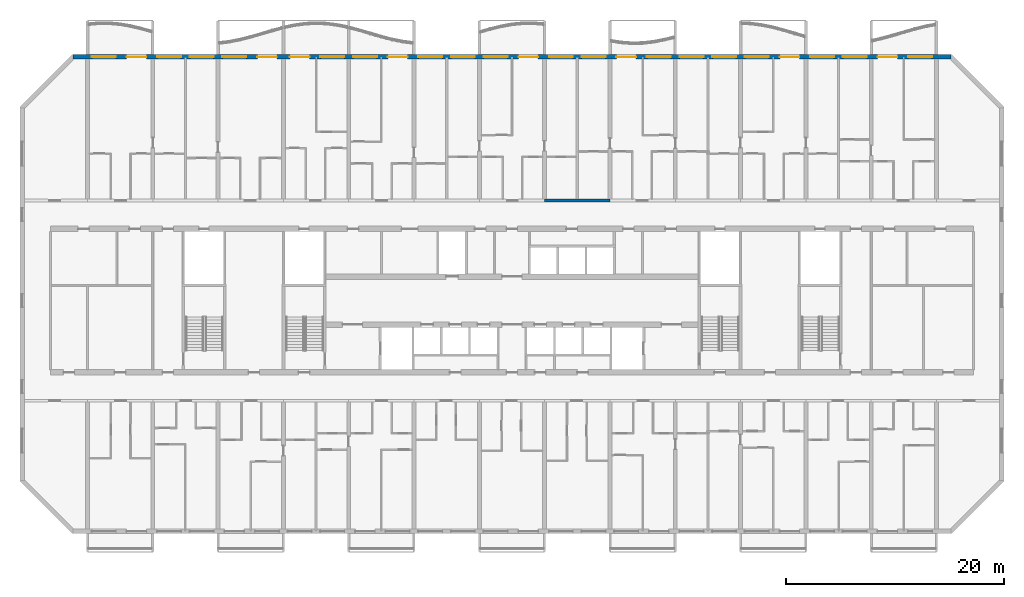
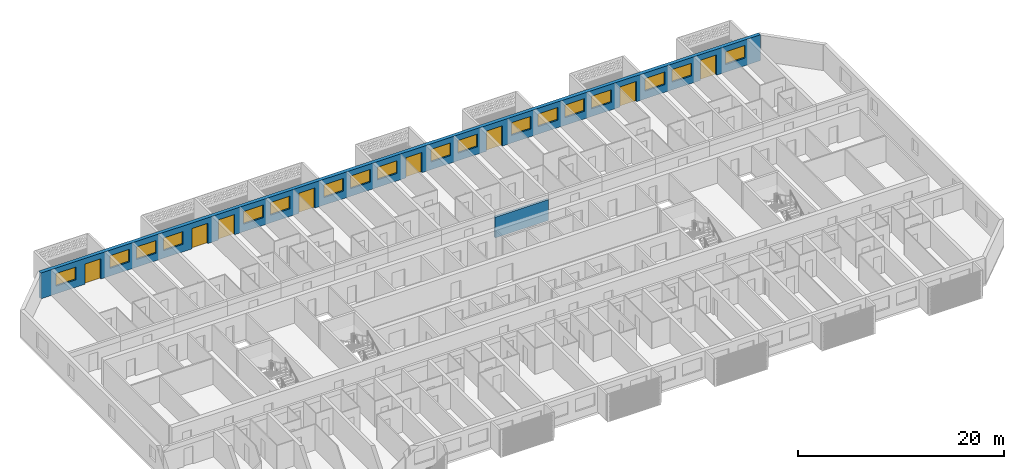
# One storey, part 12 of 29: 18 windows, 8 doors, 2 walls, 26 openings.
"""IFC4 building model written with IfcOpenShell, lengths in metres."""

from ifc_helpers import new_model, si_unit, direction, frame, frame_2d, origin, place, context, subcontext, project, spatial, rectangle, extrude, material, layer, layer_set, type_object, element, fill, save


model = new_model("IFC4")

# Units and contexts
model_context = context("Model", 3, precision=1e-05, world=origin(), true_north=direction((0.0, 1.0)))
body_context = subcontext(model_context, "Body", "Model", "MODEL_VIEW")
ifc_project = project(units=[si_unit("LENGTHUNIT", "METRE"), si_unit("AREAUNIT", "SQUARE_METRE"), si_unit("VOLUMEUNIT", "CUBIC_METRE"), si_unit("PLANEANGLEUNIT", "RADIAN"), si_unit("MASSUNIT", "GRAM", prefix="KILO")], contexts=[model_context])

# Site, building, storey
site_placement = place(None, origin())
site = spatial("IfcSite", under=ifc_project, at=site_placement, CompositionType="ELEMENT")
building_placement = place(site_placement, origin())
building = spatial("IfcBuilding", under=site, at=building_placement, Name="Poui Terraces", CompositionType="ELEMENT")
storey_placement = place(building_placement, frame((0.0, 0.0, 86.10009765625)))
storey = spatial("IfcBuildingStorey", under=building, at=storey_placement, Name="L23", CompositionType="ELEMENT", Elevation=86.10009765625)

# Wall
ifc_material_1 = material(Name="Concrete 65 MPa", Category="concrete")
ifc_layer_1 = layer(ifc_material_1, 0.25)
ifc_layer_set_1 = layer_set([ifc_layer_1], Name="Concrete 65 MPa")
wall_type_1 = type_object("IfcWallType", Name="CORRIDOR WALL 250 65MPa", PredefinedType="SHEAR", material=ifc_layer_set_1)
wall_1_placement = place(storey_placement, frame((54.0, 30.39990234375, 0.0), z_axis=(0.0, 0.0, 1.0), x_axis=(1.0, 0.0, 0.0)))
element("IfcWall", 1, at=wall_1_placement, inside=storey, type_object=wall_type_1, Name="CORRIDOR WALL LINE E BAY 9", PredefinedType="SHEAR", context=body_context, shape_type="SweptSolid", body=[
    extrude(rectangle(XDim=6.0, YDim=0.25, at=frame_2d((3.0, 0.0))), origin(), (0.0, 0.0, 1.0), 2.4599609375),
])

# Wall, openings, doors, windows
ifc_material_2 = material(Name="Precast concrete 40 MPa", Category="concrete")
ifc_layer_2 = layer(ifc_material_2, 0.39990234375)
ifc_layer_set_2 = layer_set([ifc_layer_2], Name="Precast concrete 40 MPa")
wall_type_2 = type_object("IfcWallType", Name="EXTERNAL WALL 400", PredefinedType="STANDARD", material=ifc_layer_set_2)
wall_2_placement = place(storey_placement, frame((91.317138671875, 43.60009765625, 0.0), z_axis=(0.0, 0.0, 1.0), x_axis=(-1.0, 0.0, 0.0)))
wall_2 = element("IfcWall", 2, at=wall_2_placement, inside=storey, type_object=wall_type_2, Name="EXTERNAL WALL N", PredefinedType="STANDARD", context=body_context, shape_type="SweptSolid", body=[
    extrude(rectangle(XDim=80.63427734375, YDim=0.39990234375, at=frame_2d((40.317138671875, 0.0))), origin(), (0.0, 0.0, 1.0), 3.059814453125),
])
opening_1_placement = place(wall_2_placement, frame((76.71728515625, 0.0, 0.89990234375)))
opening_1 = element("IfcOpeningElement", 3, at=opening_1_placement, cuts=wall_2, Name="Opening W1", PredefinedType="OPENING", context=body_context, shape_type="SweptSolid", body=[
    extrude(rectangle(XDim=2.199951171875, YDim=1.5, at=frame_2d((1.10009765625, 0.75))), frame((0.0, 0.2099609375, 0.0), z_axis=(0.0, -1.0, 0.0), x_axis=(1.0, 0.0, 0.0)), (0.0, 0.0, 1.0), 0.419921875),
])
opening_2_placement = place(wall_2_placement, frame((73.917236328125, 0.0, 0.0)))
opening_2 = element("IfcOpeningElement", 4, at=opening_2_placement, cuts=wall_2, Name="Opening BD1", PredefinedType="OPENING", context=body_context, shape_type="SweptSolid", body=[
    extrude(rectangle(XDim=1.800048828125, YDim=2.39990234375, at=frame_2d((0.89990234375, 1.199951171875))), frame((0.0, 0.2099609375, 0.0), z_axis=(0.0, -1.0, 0.0), x_axis=(1.0, 0.0, 0.0)), (0.0, 0.0, 1.0), 0.419921875),
])
opening_3_placement = place(wall_2_placement, frame((70.71728515625, 0.0, 0.89990234375)))
opening_3 = element("IfcOpeningElement", 5, at=opening_3_placement, cuts=wall_2, Name="Opening W1", PredefinedType="OPENING", context=body_context, shape_type="SweptSolid", body=[
    extrude(rectangle(XDim=2.199951171875, YDim=1.5, at=frame_2d((1.10009765625, 0.75))), frame((0.0, 0.2099609375, 0.0), z_axis=(0.0, -1.0, 0.0), x_axis=(1.0, 0.0, 0.0)), (0.0, 0.0, 1.0), 0.419921875),
])
opening_4_placement = place(wall_2_placement, frame((67.71728515625, 0.0, 0.89990234375)))
opening_4 = element("IfcOpeningElement", 6, at=opening_4_placement, cuts=wall_2, Name="Opening W1", PredefinedType="OPENING", context=body_context, shape_type="SweptSolid", body=[
    extrude(rectangle(XDim=2.199951171875, YDim=1.5, at=frame_2d((1.10009765625, 0.75))), frame((0.0, 0.2099609375, 0.0), z_axis=(0.0, -1.0, 0.0), x_axis=(1.0, 0.0, 0.0)), (0.0, 0.0, 1.0), 0.419921875),
])
opening_5_placement = place(wall_2_placement, frame((64.71728515625, 0.0, 0.89990234375)))
opening_5 = element("IfcOpeningElement", 7, at=opening_5_placement, cuts=wall_2, Name="Opening W1", PredefinedType="OPENING", context=body_context, shape_type="SweptSolid", body=[
    extrude(rectangle(XDim=2.199951171875, YDim=1.5, at=frame_2d((1.10009765625, 0.75))), frame((0.0, 0.2099609375, 0.0), z_axis=(0.0, -1.0, 0.0), x_axis=(1.0, 0.0, 0.0)), (0.0, 0.0, 1.0), 0.419921875),
])
opening_6_placement = place(wall_2_placement, frame((61.917236328125, 0.0, 0.0)))
opening_6 = element("IfcOpeningElement", 8, at=opening_6_placement, cuts=wall_2, Name="Opening BD1", PredefinedType="OPENING", context=body_context, shape_type="SweptSolid", body=[
    extrude(rectangle(XDim=1.800048828125, YDim=2.39990234375, at=frame_2d((0.89990234375, 1.199951171875))), frame((0.0, 0.2099609375, 0.0), z_axis=(0.0, -1.0, 0.0), x_axis=(1.0, 0.0, 0.0)), (0.0, 0.0, 1.0), 0.419921875),
])
opening_7_placement = place(wall_2_placement, frame((58.917236328125, 0.0, 0.0)))
opening_7 = element("IfcOpeningElement", 9, at=opening_7_placement, cuts=wall_2, Name="Opening BD1", PredefinedType="OPENING", context=body_context, shape_type="SweptSolid", body=[
    extrude(rectangle(XDim=1.800048828125, YDim=2.39990234375, at=frame_2d((0.89990234375, 1.199951171875))), frame((0.0, 0.2099609375, 0.0), z_axis=(0.0, -1.0, 0.0), x_axis=(1.0, 0.0, 0.0)), (0.0, 0.0, 1.0), 0.419921875),
])
opening_8_placement = place(wall_2_placement, frame((55.71728515625, 0.0, 0.89990234375)))
opening_8 = element("IfcOpeningElement", 10, at=opening_8_placement, cuts=wall_2, Name="Opening W1", PredefinedType="OPENING", context=body_context, shape_type="SweptSolid", body=[
    extrude(rectangle(XDim=2.199951171875, YDim=1.5, at=frame_2d((1.10009765625, 0.75))), frame((0.0, 0.2099609375, 0.0), z_axis=(0.0, -1.0, 0.0), x_axis=(1.0, 0.0, 0.0)), (0.0, 0.0, 1.0), 0.419921875),
])
opening_9_placement = place(wall_2_placement, frame((52.71728515625, 0.0, 0.89990234375)))
opening_9 = element("IfcOpeningElement", 11, at=opening_9_placement, cuts=wall_2, Name="Opening W1", PredefinedType="OPENING", context=body_context, shape_type="SweptSolid", body=[
    extrude(rectangle(XDim=2.199951171875, YDim=1.5, at=frame_2d((1.10009765625, 0.75))), frame((0.0, 0.2099609375, 0.0), z_axis=(0.0, -1.0, 0.0), x_axis=(1.0, 0.0, 0.0)), (0.0, 0.0, 1.0), 0.419921875),
])
opening_10_placement = place(wall_2_placement, frame((49.917236328125, 0.0, 0.0)))
opening_10 = element("IfcOpeningElement", 12, at=opening_10_placement, cuts=wall_2, Name="Opening BD1", PredefinedType="OPENING", context=body_context, shape_type="SweptSolid", body=[
    extrude(rectangle(XDim=1.800048828125, YDim=2.39990234375, at=frame_2d((0.89990234375, 1.199951171875))), frame((0.0, 0.2099609375, 0.0), z_axis=(0.0, -1.0, 0.0), x_axis=(1.0, 0.0, 0.0)), (0.0, 0.0, 1.0), 0.419921875),
])
opening_11_placement = place(wall_2_placement, frame((46.71728515625, 0.0, 0.89990234375)))
opening_11 = element("IfcOpeningElement", 13, at=opening_11_placement, cuts=wall_2, Name="Opening W1", PredefinedType="OPENING", context=body_context, shape_type="SweptSolid", body=[
    extrude(rectangle(XDim=2.199951171875, YDim=1.5, at=frame_2d((1.10009765625, 0.75))), frame((0.0, 0.2099609375, 0.0), z_axis=(0.0, -1.0, 0.0), x_axis=(1.0, 0.0, 0.0)), (0.0, 0.0, 1.0), 0.419921875),
])
opening_12_placement = place(wall_2_placement, frame((43.71728515625, 0.0, 0.89990234375)))
opening_12 = element("IfcOpeningElement", 14, at=opening_12_placement, cuts=wall_2, Name="Opening W1", PredefinedType="OPENING", context=body_context, shape_type="SweptSolid", body=[
    extrude(rectangle(XDim=2.199951171875, YDim=1.5, at=frame_2d((1.10009765625, 0.75))), frame((0.0, 0.2099609375, 0.0), z_axis=(0.0, -1.0, 0.0), x_axis=(1.0, 0.0, 0.0)), (0.0, 0.0, 1.0), 0.419921875),
])
opening_13_placement = place(wall_2_placement, frame((40.71728515625, 0.0, 0.89990234375)))
opening_13 = element("IfcOpeningElement", 15, at=opening_13_placement, cuts=wall_2, Name="Opening W1", PredefinedType="OPENING", context=body_context, shape_type="SweptSolid", body=[
    extrude(rectangle(XDim=2.199951171875, YDim=1.5, at=frame_2d((1.10009765625, 0.75))), frame((0.0, 0.2099609375, 0.0), z_axis=(0.0, -1.0, 0.0), x_axis=(1.0, 0.0, 0.0)), (0.0, 0.0, 1.0), 0.419921875),
])
opening_14_placement = place(wall_2_placement, frame((37.917236328125, 0.0, 0.0)))
opening_14 = element("IfcOpeningElement", 16, at=opening_14_placement, cuts=wall_2, Name="Opening BD1", PredefinedType="OPENING", context=body_context, shape_type="SweptSolid", body=[
    extrude(rectangle(XDim=1.800048828125, YDim=2.39990234375, at=frame_2d((0.89990234375, 1.199951171875))), frame((0.0, 0.2099609375, 0.0), z_axis=(0.0, -1.0, 0.0), x_axis=(1.0, 0.0, 0.0)), (0.0, 0.0, 1.0), 0.419921875),
])
opening_15_placement = place(wall_2_placement, frame((34.71728515625, 0.0, 0.89990234375)))
opening_15 = element("IfcOpeningElement", 17, at=opening_15_placement, cuts=wall_2, Name="Opening W1", PredefinedType="OPENING", context=body_context, shape_type="SweptSolid", body=[
    extrude(rectangle(XDim=2.199951171875, YDim=1.5, at=frame_2d((1.10009765625, 0.75))), frame((0.0, 0.2099609375, 0.0), z_axis=(0.0, -1.0, 0.0), x_axis=(1.0, 0.0, 0.0)), (0.0, 0.0, 1.0), 0.419921875),
])
opening_16_placement = place(wall_2_placement, frame((31.71728515625, 0.0, 0.89990234375)))
opening_16 = element("IfcOpeningElement", 18, at=opening_16_placement, cuts=wall_2, Name="Opening W1", PredefinedType="OPENING", context=body_context, shape_type="SweptSolid", body=[
    extrude(rectangle(XDim=2.199951171875, YDim=1.5, at=frame_2d((1.10009765625, 0.75))), frame((0.0, 0.2099609375, 0.0), z_axis=(0.0, -1.0, 0.0), x_axis=(1.0, 0.0, 0.0)), (0.0, 0.0, 1.0), 0.419921875),
])
opening_17_placement = place(wall_2_placement, frame((28.917236328125, 0.0, 0.0)))
opening_17 = element("IfcOpeningElement", 19, at=opening_17_placement, cuts=wall_2, Name="Opening BD1", PredefinedType="OPENING", context=body_context, shape_type="SweptSolid", body=[
    extrude(rectangle(XDim=1.800048828125, YDim=2.39990234375, at=frame_2d((0.89990234375, 1.199951171875))), frame((0.0, 0.2099609375, 0.0), z_axis=(0.0, -1.0, 0.0), x_axis=(1.0, 0.0, 0.0)), (0.0, 0.0, 1.0), 0.419921875),
])
opening_18_placement = place(wall_2_placement, frame((25.71728515625, 0.0, 0.89990234375)))
opening_18 = element("IfcOpeningElement", 20, at=opening_18_placement, cuts=wall_2, Name="Opening W1", PredefinedType="OPENING", context=body_context, shape_type="SweptSolid", body=[
    extrude(rectangle(XDim=2.199951171875, YDim=1.5, at=frame_2d((1.10009765625, 0.75))), frame((0.0, 0.2099609375, 0.0), z_axis=(0.0, -1.0, 0.0), x_axis=(1.0, 0.0, 0.0)), (0.0, 0.0, 1.0), 0.419921875),
])
opening_19_placement = place(wall_2_placement, frame((22.71728515625, 0.0, 0.89990234375)))
opening_19 = element("IfcOpeningElement", 21, at=opening_19_placement, cuts=wall_2, Name="Opening W1", PredefinedType="OPENING", context=body_context, shape_type="SweptSolid", body=[
    extrude(rectangle(XDim=2.199951171875, YDim=1.5, at=frame_2d((1.10009765625, 0.75))), frame((0.0, 0.2099609375, 0.0), z_axis=(0.0, -1.0, 0.0), x_axis=(1.0, 0.0, 0.0)), (0.0, 0.0, 1.0), 0.419921875),
])
opening_20_placement = place(wall_2_placement, frame((19.71728515625, 0.0, 0.89990234375)))
opening_20 = element("IfcOpeningElement", 22, at=opening_20_placement, cuts=wall_2, Name="Opening W1", PredefinedType="OPENING", context=body_context, shape_type="SweptSolid", body=[
    extrude(rectangle(XDim=2.199951171875, YDim=1.5, at=frame_2d((1.10009765625, 0.75))), frame((0.0, 0.2099609375, 0.0), z_axis=(0.0, -1.0, 0.0), x_axis=(1.0, 0.0, 0.0)), (0.0, 0.0, 1.0), 0.419921875),
])
opening_21_placement = place(wall_2_placement, frame((16.71728515625, 0.0, 0.89990234375)))
opening_21 = element("IfcOpeningElement", 23, at=opening_21_placement, cuts=wall_2, Name="Opening W1", PredefinedType="OPENING", context=body_context, shape_type="SweptSolid", body=[
    extrude(rectangle(XDim=2.199951171875, YDim=1.5, at=frame_2d((1.10009765625, 0.75))), frame((0.0, 0.2099609375, 0.0), z_axis=(0.0, -1.0, 0.0), x_axis=(1.0, 0.0, 0.0)), (0.0, 0.0, 1.0), 0.419921875),
])
opening_22_placement = place(wall_2_placement, frame((13.917236328125, 0.0, 0.0)))
opening_22 = element("IfcOpeningElement", 24, at=opening_22_placement, cuts=wall_2, Name="Opening BD1", PredefinedType="OPENING", context=body_context, shape_type="SweptSolid", body=[
    extrude(rectangle(XDim=1.800048828125, YDim=2.39990234375, at=frame_2d((0.89990234375, 1.199951171875))), frame((0.0, 0.2099609375, 0.0), z_axis=(0.0, -1.0, 0.0), x_axis=(1.0, 0.0, 0.0)), (0.0, 0.0, 1.0), 0.419921875),
])
opening_23_placement = place(wall_2_placement, frame((10.71728515625, 0.0, 0.89990234375)))
opening_23 = element("IfcOpeningElement", 25, at=opening_23_placement, cuts=wall_2, Name="Opening W1", PredefinedType="OPENING", context=body_context, shape_type="SweptSolid", body=[
    extrude(rectangle(XDim=2.199951171875, YDim=1.5, at=frame_2d((1.10009765625, 0.75))), frame((0.0, 0.2099609375, 0.0), z_axis=(0.0, -1.0, 0.0), x_axis=(1.0, 0.0, 0.0)), (0.0, 0.0, 1.0), 0.419921875),
])
opening_24_placement = place(wall_2_placement, frame((7.71728515625, 0.0, 0.89990234375)))
opening_24 = element("IfcOpeningElement", 26, at=opening_24_placement, cuts=wall_2, Name="Opening W1", PredefinedType="OPENING", context=body_context, shape_type="SweptSolid", body=[
    extrude(rectangle(XDim=2.199951171875, YDim=1.5, at=frame_2d((1.10009765625, 0.75))), frame((0.0, 0.2099609375, 0.0), z_axis=(0.0, -1.0, 0.0), x_axis=(1.0, 0.0, 0.0)), (0.0, 0.0, 1.0), 0.419921875),
])
opening_25_placement = place(wall_2_placement, frame((4.917236328125, 0.0, 0.0)))
opening_25 = element("IfcOpeningElement", 27, at=opening_25_placement, cuts=wall_2, Name="Opening BD1", PredefinedType="OPENING", context=body_context, shape_type="SweptSolid", body=[
    extrude(rectangle(XDim=1.800048828125, YDim=2.39990234375, at=frame_2d((0.89990234375, 1.199951171875))), frame((0.0, 0.2099609375, 0.0), z_axis=(0.0, -1.0, 0.0), x_axis=(1.0, 0.0, 0.0)), (0.0, 0.0, 1.0), 0.419921875),
])
opening_26_placement = place(wall_2_placement, frame((1.71728515625, 0.0, 0.89990234375)))
opening_26 = element("IfcOpeningElement", 28, at=opening_26_placement, cuts=wall_2, Name="Opening W1", PredefinedType="OPENING", context=body_context, shape_type="SweptSolid", body=[
    extrude(rectangle(XDim=2.199951171875, YDim=1.5, at=frame_2d((1.10009765625, 0.75))), frame((0.0, 0.2099609375, 0.0), z_axis=(0.0, -1.0, 0.0), x_axis=(1.0, 0.0, 0.0)), (0.0, 0.0, 1.0), 0.419921875),
])
ifc_material_3 = material(Name="Clear glass in aluminium frame", Category="aluminium")
door_type = type_object("IfcDoorType", Name="BALCONY DOOR 1800X2400", OperationType="DOUBLE_DOOR_SLIDING", PredefinedType="DOOR", material=ifc_material_3)
door_1_placement = place(opening_2_placement, origin())
door_1 = element("IfcDoor", 29, at=door_1_placement, inside=storey, type_object=door_type, Name="BD1 BALCONY DOOR", OperationType="DOUBLE_DOOR_SLIDING", OverallHeight=2.39990234375, OverallWidth=1.800048828125, PredefinedType="DOOR", context=body_context, shape_type="SweptSolid", body=[
    extrude(rectangle(XDim=1.800048828125, YDim=2.39990234375, at=frame_2d((0.89990234375, 1.199951171875))), frame((0.0, 0.02490234375, 0.0), z_axis=(0.0, -1.0, 0.0), x_axis=(1.0, 0.0, 0.0)), (0.0, 0.0, 1.0), 0.050048828125),
])
fill(opening_2, door_1)
door_2_placement = place(opening_6_placement, origin())
door_2 = element("IfcDoor", 30, at=door_2_placement, inside=storey, type_object=door_type, Name="BD1 BALCONY DOOR", OperationType="DOUBLE_DOOR_SLIDING", OverallHeight=2.39990234375, OverallWidth=1.800048828125, PredefinedType="DOOR", context=body_context, shape_type="SweptSolid", body=[
    extrude(rectangle(XDim=1.800048828125, YDim=2.39990234375, at=frame_2d((0.89990234375, 1.199951171875))), frame((0.0, 0.02490234375, 0.0), z_axis=(0.0, -1.0, 0.0), x_axis=(1.0, 0.0, 0.0)), (0.0, 0.0, 1.0), 0.050048828125),
])
fill(opening_6, door_2)
door_3_placement = place(opening_7_placement, origin())
door_3 = element("IfcDoor", 31, at=door_3_placement, inside=storey, type_object=door_type, Name="BD1 BALCONY DOOR", OperationType="DOUBLE_DOOR_SLIDING", OverallHeight=2.39990234375, OverallWidth=1.800048828125, PredefinedType="DOOR", context=body_context, shape_type="SweptSolid", body=[
    extrude(rectangle(XDim=1.800048828125, YDim=2.39990234375, at=frame_2d((0.89990234375, 1.199951171875))), frame((0.0, 0.02490234375, 0.0), z_axis=(0.0, -1.0, 0.0), x_axis=(1.0, 0.0, 0.0)), (0.0, 0.0, 1.0), 0.050048828125),
])
fill(opening_7, door_3)
door_4_placement = place(opening_10_placement, origin())
door_4 = element("IfcDoor", 32, at=door_4_placement, inside=storey, type_object=door_type, Name="BD1 BALCONY DOOR", OperationType="DOUBLE_DOOR_SLIDING", OverallHeight=2.39990234375, OverallWidth=1.800048828125, PredefinedType="DOOR", context=body_context, shape_type="SweptSolid", body=[
    extrude(rectangle(XDim=1.800048828125, YDim=2.39990234375, at=frame_2d((0.89990234375, 1.199951171875))), frame((0.0, 0.02490234375, 0.0), z_axis=(0.0, -1.0, 0.0), x_axis=(1.0, 0.0, 0.0)), (0.0, 0.0, 1.0), 0.050048828125),
])
fill(opening_10, door_4)
door_5_placement = place(opening_14_placement, origin())
door_5 = element("IfcDoor", 33, at=door_5_placement, inside=storey, type_object=door_type, Name="BD1 BALCONY DOOR", OperationType="DOUBLE_DOOR_SLIDING", OverallHeight=2.39990234375, OverallWidth=1.800048828125, PredefinedType="DOOR", context=body_context, shape_type="SweptSolid", body=[
    extrude(rectangle(XDim=1.800048828125, YDim=2.39990234375, at=frame_2d((0.89990234375, 1.199951171875))), frame((0.0, 0.02490234375, 0.0), z_axis=(0.0, -1.0, 0.0), x_axis=(1.0, 0.0, 0.0)), (0.0, 0.0, 1.0), 0.050048828125),
])
fill(opening_14, door_5)
door_6_placement = place(opening_17_placement, origin())
door_6 = element("IfcDoor", 34, at=door_6_placement, inside=storey, type_object=door_type, Name="BD1 BALCONY DOOR", OperationType="DOUBLE_DOOR_SLIDING", OverallHeight=2.39990234375, OverallWidth=1.800048828125, PredefinedType="DOOR", context=body_context, shape_type="SweptSolid", body=[
    extrude(rectangle(XDim=1.800048828125, YDim=2.39990234375, at=frame_2d((0.89990234375, 1.199951171875))), frame((0.0, 0.02490234375, 0.0), z_axis=(0.0, -1.0, 0.0), x_axis=(1.0, 0.0, 0.0)), (0.0, 0.0, 1.0), 0.050048828125),
])
fill(opening_17, door_6)
door_7_placement = place(opening_22_placement, origin())
door_7 = element("IfcDoor", 35, at=door_7_placement, inside=storey, type_object=door_type, Name="BD1 BALCONY DOOR", OperationType="DOUBLE_DOOR_SLIDING", OverallHeight=2.39990234375, OverallWidth=1.800048828125, PredefinedType="DOOR", context=body_context, shape_type="SweptSolid", body=[
    extrude(rectangle(XDim=1.800048828125, YDim=2.39990234375, at=frame_2d((0.89990234375, 1.199951171875))), frame((0.0, 0.02490234375, 0.0), z_axis=(0.0, -1.0, 0.0), x_axis=(1.0, 0.0, 0.0)), (0.0, 0.0, 1.0), 0.050048828125),
])
fill(opening_22, door_7)
door_8_placement = place(opening_25_placement, origin())
door_8 = element("IfcDoor", 36, at=door_8_placement, inside=storey, type_object=door_type, Name="BD1 BALCONY DOOR", OperationType="DOUBLE_DOOR_SLIDING", OverallHeight=2.39990234375, OverallWidth=1.800048828125, PredefinedType="DOOR", context=body_context, shape_type="SweptSolid", body=[
    extrude(rectangle(XDim=1.800048828125, YDim=2.39990234375, at=frame_2d((0.89990234375, 1.199951171875))), frame((0.0, 0.02490234375, 0.0), z_axis=(0.0, -1.0, 0.0), x_axis=(1.0, 0.0, 0.0)), (0.0, 0.0, 1.0), 0.050048828125),
])
fill(opening_25, door_8)
window_type = type_object("IfcWindowType", Name="WINDOW 2200X1500", PartitioningType="DOUBLE_PANEL_HORIZONTAL", PredefinedType="WINDOW", material=ifc_material_3)
window_1_placement = place(opening_1_placement, origin())
window_1 = element("IfcWindow", 37, at=window_1_placement, inside=storey, type_object=window_type, Name="W1 WINDOW", OverallHeight=1.5, OverallWidth=2.199951171875, PartitioningType="DOUBLE_PANEL_HORIZONTAL", PredefinedType="WINDOW", context=body_context, shape_type="SweptSolid", body=[
    extrude(rectangle(XDim=2.199951171875, YDim=1.5, at=frame_2d((1.10009765625, 0.75))), frame((0.0, 0.030029296875, 0.0), z_axis=(0.0, -1.0, 0.0), x_axis=(1.0, 0.0, 0.0)), (0.0, 0.0, 1.0), 0.06005859375),
])
fill(opening_1, window_1)
window_2_placement = place(opening_3_placement, origin())
window_2 = element("IfcWindow", 38, at=window_2_placement, inside=storey, type_object=window_type, Name="W1 WINDOW", OverallHeight=1.5, OverallWidth=2.199951171875, PartitioningType="DOUBLE_PANEL_HORIZONTAL", PredefinedType="WINDOW", context=body_context, shape_type="SweptSolid", body=[
    extrude(rectangle(XDim=2.199951171875, YDim=1.5, at=frame_2d((1.10009765625, 0.75))), frame((0.0, 0.030029296875, 0.0), z_axis=(0.0, -1.0, 0.0), x_axis=(1.0, 0.0, 0.0)), (0.0, 0.0, 1.0), 0.06005859375),
])
fill(opening_3, window_2)
window_3_placement = place(opening_4_placement, origin())
window_3 = element("IfcWindow", 39, at=window_3_placement, inside=storey, type_object=window_type, Name="W1 WINDOW", OverallHeight=1.5, OverallWidth=2.199951171875, PartitioningType="DOUBLE_PANEL_HORIZONTAL", PredefinedType="WINDOW", context=body_context, shape_type="SweptSolid", body=[
    extrude(rectangle(XDim=2.199951171875, YDim=1.5, at=frame_2d((1.10009765625, 0.75))), frame((0.0, 0.030029296875, 0.0), z_axis=(0.0, -1.0, 0.0), x_axis=(1.0, 0.0, 0.0)), (0.0, 0.0, 1.0), 0.06005859375),
])
fill(opening_4, window_3)
window_4_placement = place(opening_5_placement, origin())
window_4 = element("IfcWindow", 40, at=window_4_placement, inside=storey, type_object=window_type, Name="W1 WINDOW", OverallHeight=1.5, OverallWidth=2.199951171875, PartitioningType="DOUBLE_PANEL_HORIZONTAL", PredefinedType="WINDOW", context=body_context, shape_type="SweptSolid", body=[
    extrude(rectangle(XDim=2.199951171875, YDim=1.5, at=frame_2d((1.10009765625, 0.75))), frame((0.0, 0.030029296875, 0.0), z_axis=(0.0, -1.0, 0.0), x_axis=(1.0, 0.0, 0.0)), (0.0, 0.0, 1.0), 0.06005859375),
])
fill(opening_5, window_4)
window_5_placement = place(opening_8_placement, origin())
window_5 = element("IfcWindow", 41, at=window_5_placement, inside=storey, type_object=window_type, Name="W1 WINDOW", OverallHeight=1.5, OverallWidth=2.199951171875, PartitioningType="DOUBLE_PANEL_HORIZONTAL", PredefinedType="WINDOW", context=body_context, shape_type="SweptSolid", body=[
    extrude(rectangle(XDim=2.199951171875, YDim=1.5, at=frame_2d((1.10009765625, 0.75))), frame((0.0, 0.030029296875, 0.0), z_axis=(0.0, -1.0, 0.0), x_axis=(1.0, 0.0, 0.0)), (0.0, 0.0, 1.0), 0.06005859375),
])
fill(opening_8, window_5)
window_6_placement = place(opening_9_placement, origin())
window_6 = element("IfcWindow", 42, at=window_6_placement, inside=storey, type_object=window_type, Name="W1 WINDOW", OverallHeight=1.5, OverallWidth=2.199951171875, PartitioningType="DOUBLE_PANEL_HORIZONTAL", PredefinedType="WINDOW", context=body_context, shape_type="SweptSolid", body=[
    extrude(rectangle(XDim=2.199951171875, YDim=1.5, at=frame_2d((1.10009765625, 0.75))), frame((0.0, 0.030029296875, 0.0), z_axis=(0.0, -1.0, 0.0), x_axis=(1.0, 0.0, 0.0)), (0.0, 0.0, 1.0), 0.06005859375),
])
fill(opening_9, window_6)
window_7_placement = place(opening_11_placement, origin())
window_7 = element("IfcWindow", 43, at=window_7_placement, inside=storey, type_object=window_type, Name="W1 WINDOW", OverallHeight=1.5, OverallWidth=2.199951171875, PartitioningType="DOUBLE_PANEL_HORIZONTAL", PredefinedType="WINDOW", context=body_context, shape_type="SweptSolid", body=[
    extrude(rectangle(XDim=2.199951171875, YDim=1.5, at=frame_2d((1.10009765625, 0.75))), frame((0.0, 0.030029296875, 0.0), z_axis=(0.0, -1.0, 0.0), x_axis=(1.0, 0.0, 0.0)), (0.0, 0.0, 1.0), 0.06005859375),
])
fill(opening_11, window_7)
window_8_placement = place(opening_12_placement, origin())
window_8 = element("IfcWindow", 44, at=window_8_placement, inside=storey, type_object=window_type, Name="W1 WINDOW", OverallHeight=1.5, OverallWidth=2.199951171875, PartitioningType="DOUBLE_PANEL_HORIZONTAL", PredefinedType="WINDOW", context=body_context, shape_type="SweptSolid", body=[
    extrude(rectangle(XDim=2.199951171875, YDim=1.5, at=frame_2d((1.10009765625, 0.75))), frame((0.0, 0.030029296875, 0.0), z_axis=(0.0, -1.0, 0.0), x_axis=(1.0, 0.0, 0.0)), (0.0, 0.0, 1.0), 0.06005859375),
])
fill(opening_12, window_8)
window_9_placement = place(opening_13_placement, origin())
window_9 = element("IfcWindow", 45, at=window_9_placement, inside=storey, type_object=window_type, Name="W1 WINDOW", OverallHeight=1.5, OverallWidth=2.199951171875, PartitioningType="DOUBLE_PANEL_HORIZONTAL", PredefinedType="WINDOW", context=body_context, shape_type="SweptSolid", body=[
    extrude(rectangle(XDim=2.199951171875, YDim=1.5, at=frame_2d((1.10009765625, 0.75))), frame((0.0, 0.030029296875, 0.0), z_axis=(0.0, -1.0, 0.0), x_axis=(1.0, 0.0, 0.0)), (0.0, 0.0, 1.0), 0.06005859375),
])
fill(opening_13, window_9)
window_10_placement = place(opening_15_placement, origin())
window_10 = element("IfcWindow", 46, at=window_10_placement, inside=storey, type_object=window_type, Name="W1 WINDOW", OverallHeight=1.5, OverallWidth=2.199951171875, PartitioningType="DOUBLE_PANEL_HORIZONTAL", PredefinedType="WINDOW", context=body_context, shape_type="SweptSolid", body=[
    extrude(rectangle(XDim=2.199951171875, YDim=1.5, at=frame_2d((1.10009765625, 0.75))), frame((0.0, 0.030029296875, 0.0), z_axis=(0.0, -1.0, 0.0), x_axis=(1.0, 0.0, 0.0)), (0.0, 0.0, 1.0), 0.06005859375),
])
fill(opening_15, window_10)
window_11_placement = place(opening_16_placement, origin())
window_11 = element("IfcWindow", 47, at=window_11_placement, inside=storey, type_object=window_type, Name="W1 WINDOW", OverallHeight=1.5, OverallWidth=2.199951171875, PartitioningType="DOUBLE_PANEL_HORIZONTAL", PredefinedType="WINDOW", context=body_context, shape_type="SweptSolid", body=[
    extrude(rectangle(XDim=2.199951171875, YDim=1.5, at=frame_2d((1.10009765625, 0.75))), frame((0.0, 0.030029296875, 0.0), z_axis=(0.0, -1.0, 0.0), x_axis=(1.0, 0.0, 0.0)), (0.0, 0.0, 1.0), 0.06005859375),
])
fill(opening_16, window_11)
window_12_placement = place(opening_18_placement, origin())
window_12 = element("IfcWindow", 48, at=window_12_placement, inside=storey, type_object=window_type, Name="W1 WINDOW", OverallHeight=1.5, OverallWidth=2.199951171875, PartitioningType="DOUBLE_PANEL_HORIZONTAL", PredefinedType="WINDOW", context=body_context, shape_type="SweptSolid", body=[
    extrude(rectangle(XDim=2.199951171875, YDim=1.5, at=frame_2d((1.10009765625, 0.75))), frame((0.0, 0.030029296875, 0.0), z_axis=(0.0, -1.0, 0.0), x_axis=(1.0, 0.0, 0.0)), (0.0, 0.0, 1.0), 0.06005859375),
])
fill(opening_18, window_12)
window_13_placement = place(opening_19_placement, origin())
window_13 = element("IfcWindow", 49, at=window_13_placement, inside=storey, type_object=window_type, Name="W1 WINDOW", OverallHeight=1.5, OverallWidth=2.199951171875, PartitioningType="DOUBLE_PANEL_HORIZONTAL", PredefinedType="WINDOW", context=body_context, shape_type="SweptSolid", body=[
    extrude(rectangle(XDim=2.199951171875, YDim=1.5, at=frame_2d((1.10009765625, 0.75))), frame((0.0, 0.030029296875, 0.0), z_axis=(0.0, -1.0, 0.0), x_axis=(1.0, 0.0, 0.0)), (0.0, 0.0, 1.0), 0.06005859375),
])
fill(opening_19, window_13)
window_14_placement = place(opening_20_placement, origin())
window_14 = element("IfcWindow", 50, at=window_14_placement, inside=storey, type_object=window_type, Name="W1 WINDOW", OverallHeight=1.5, OverallWidth=2.199951171875, PartitioningType="DOUBLE_PANEL_HORIZONTAL", PredefinedType="WINDOW", context=body_context, shape_type="SweptSolid", body=[
    extrude(rectangle(XDim=2.199951171875, YDim=1.5, at=frame_2d((1.10009765625, 0.75))), frame((0.0, 0.030029296875, 0.0), z_axis=(0.0, -1.0, 0.0), x_axis=(1.0, 0.0, 0.0)), (0.0, 0.0, 1.0), 0.06005859375),
])
fill(opening_20, window_14)
window_15_placement = place(opening_21_placement, origin())
window_15 = element("IfcWindow", 51, at=window_15_placement, inside=storey, type_object=window_type, Name="W1 WINDOW", OverallHeight=1.5, OverallWidth=2.199951171875, PartitioningType="DOUBLE_PANEL_HORIZONTAL", PredefinedType="WINDOW", context=body_context, shape_type="SweptSolid", body=[
    extrude(rectangle(XDim=2.199951171875, YDim=1.5, at=frame_2d((1.10009765625, 0.75))), frame((0.0, 0.030029296875, 0.0), z_axis=(0.0, -1.0, 0.0), x_axis=(1.0, 0.0, 0.0)), (0.0, 0.0, 1.0), 0.06005859375),
])
fill(opening_21, window_15)
window_16_placement = place(opening_23_placement, origin())
window_16 = element("IfcWindow", 52, at=window_16_placement, inside=storey, type_object=window_type, Name="W1 WINDOW", OverallHeight=1.5, OverallWidth=2.199951171875, PartitioningType="DOUBLE_PANEL_HORIZONTAL", PredefinedType="WINDOW", context=body_context, shape_type="SweptSolid", body=[
    extrude(rectangle(XDim=2.199951171875, YDim=1.5, at=frame_2d((1.10009765625, 0.75))), frame((0.0, 0.030029296875, 0.0), z_axis=(0.0, -1.0, 0.0), x_axis=(1.0, 0.0, 0.0)), (0.0, 0.0, 1.0), 0.06005859375),
])
fill(opening_23, window_16)
window_17_placement = place(opening_24_placement, origin())
window_17 = element("IfcWindow", 53, at=window_17_placement, inside=storey, type_object=window_type, Name="W1 WINDOW", OverallHeight=1.5, OverallWidth=2.199951171875, PartitioningType="DOUBLE_PANEL_HORIZONTAL", PredefinedType="WINDOW", context=body_context, shape_type="SweptSolid", body=[
    extrude(rectangle(XDim=2.199951171875, YDim=1.5, at=frame_2d((1.10009765625, 0.75))), frame((0.0, 0.030029296875, 0.0), z_axis=(0.0, -1.0, 0.0), x_axis=(1.0, 0.0, 0.0)), (0.0, 0.0, 1.0), 0.06005859375),
])
fill(opening_24, window_17)
window_18_placement = place(opening_26_placement, origin())
window_18 = element("IfcWindow", 54, at=window_18_placement, inside=storey, type_object=window_type, Name="W1 WINDOW", OverallHeight=1.5, OverallWidth=2.199951171875, PartitioningType="DOUBLE_PANEL_HORIZONTAL", PredefinedType="WINDOW", context=body_context, shape_type="SweptSolid", body=[
    extrude(rectangle(XDim=2.199951171875, YDim=1.5, at=frame_2d((1.10009765625, 0.75))), frame((0.0, 0.030029296875, 0.0), z_axis=(0.0, -1.0, 0.0), x_axis=(1.0, 0.0, 0.0)), (0.0, 0.0, 1.0), 0.06005859375),
])
fill(opening_26, window_18)

save(model, "model.ifc")
